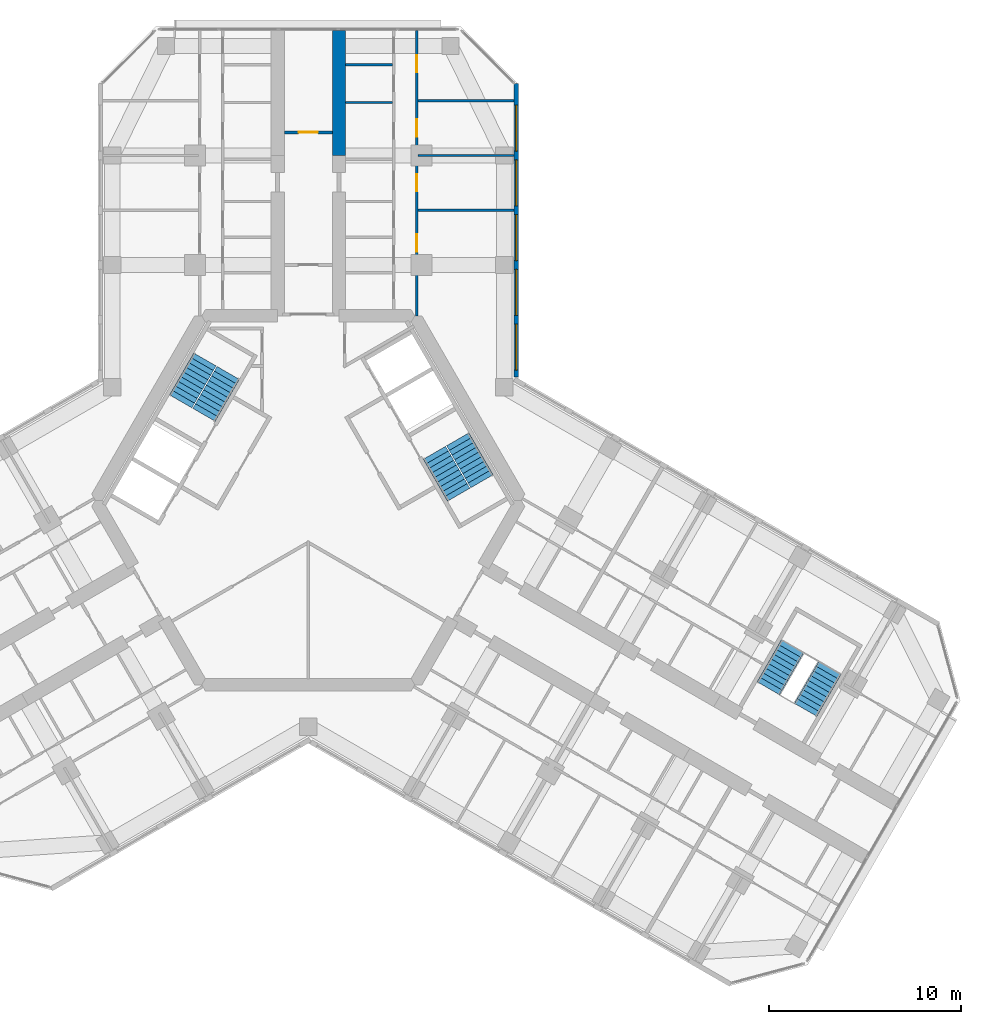
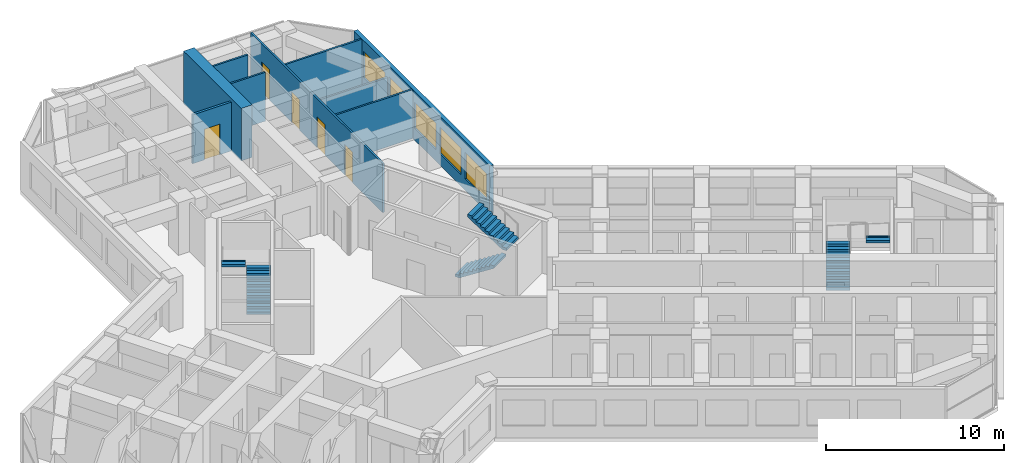
# One storey, part 15 of 16: 9 walls, 6 stair flights, 5 doors, 5 windows, 10 openings, 3 elements without a shape of their own.
"""IFC4 building model written with IfcOpenShell, lengths in metres."""

from ifc_helpers import new_model, si_unit, direction, frame, frame_2d, origin, place, context, subcontext, project, spatial, polyline, rectangle, outline, extrude, material, layer, layer_set, type_object, element, fill, aggregate, save


model = new_model("IFC4")

# Units and contexts
model_context = context("Model", 3, precision=1e-05, world=origin(), true_north=direction((0.0, 1.0)))
body_context = subcontext(model_context, "Body", "Model", "MODEL_VIEW")
ifc_project = project(units=[si_unit("LENGTHUNIT", "METRE"), si_unit("AREAUNIT", "SQUARE_METRE"), si_unit("VOLUMEUNIT", "CUBIC_METRE"), si_unit("PLANEANGLEUNIT", "RADIAN"), si_unit("MASSUNIT", "GRAM", prefix="KILO")], contexts=[model_context])

# Site, building, storey
site_placement = place(None, origin())
site = spatial("IfcSite", under=ifc_project, at=site_placement, CompositionType="ELEMENT")
building_placement = place(site_placement, origin())
building = spatial("IfcBuilding", under=site, at=building_placement, Name="Kosmar Iwan School Tower", CompositionType="ELEMENT")
storey_placement = place(building_placement, frame((0.0, 0.0, 201.0)))
storey = spatial("IfcBuildingStorey", under=building, at=storey_placement, Name="L50", CompositionType="ELEMENT", Elevation=201.0)

# Wall
ifc_material_1 = material(Name="Concrete C50/60", Category="concrete")
ifc_layer_1 = layer(ifc_material_1, 0.699951171875)
ifc_layer_set_1 = layer_set([ifc_layer_1], Name="Corridor buttress wall 700")
wall_type_1 = type_object("IfcWallType", Name="Corridor buttress wall 700", PredefinedType="SHEAR", material=ifc_layer_set_1)
wall_1_placement = place(storey_placement, frame((1.60009765625, 17.949951171875, 0.0), z_axis=(0.0, 0.0, 1.0), x_axis=(0.0, 1.0, 0.0)))
element("IfcWall", 1, at=wall_1_placement, inside=storey, type_object=wall_type_1, Name="Corridor wall AR bay 2", PredefinedType="SHEAR", context=body_context, shape_type="SweptSolid", body=[
    extrude(rectangle(XDim=6.4951171875, YDim=0.699951171875, at=frame_2d((3.24755859375, 0.0))), origin(), (0.0, 0.0, 1.0), 3.60009765625),
])

# Wall, opening, door
ifc_material_2 = material(Name="Gypsum board on steel studs, fire-rated", Category="steel")
ifc_layer_2 = layer(ifc_material_2, 0.14990234375)
ifc_layer_set_2 = layer_set([ifc_layer_2], Name="Corridor end wall 150")
wall_type_2 = type_object("IfcWallType", Name="Corridor end wall 150", PredefinedType="PARTITIONING", material=ifc_layer_set_2)
wall_2_placement = place(storey_placement, frame((1.25, 19.14990234375, 0.0), z_axis=(0.0, 0.0, 1.0), x_axis=(-1.0, 0.0, 0.0)))
wall_2 = element("IfcWall", 2, at=wall_2_placement, inside=storey, type_object=wall_type_2, Name="Partition L50-A-CE", PredefinedType="PARTITIONING", context=body_context, shape_type="SweptSolid", body=[
    extrude(rectangle(XDim=2.5, YDim=0.14990234375, at=frame_2d((1.25, 0.0))), origin(), (0.0, 0.0, 1.0), 3.35009765625),
])
opening_1_placement = place(wall_2_placement, frame((0.75, 0.0, 0.0)))
opening_1 = element("IfcOpeningElement", 3, at=opening_1_placement, cuts=wall_2, Name="Opening D13", PredefinedType="OPENING", context=body_context, shape_type="SweptSolid", body=[
    extrude(rectangle(XDim=1.0, YDim=2.10009765625, at=frame_2d((0.5, 1.050048828125))), frame((0.0, 0.0869140625, 0.0), z_axis=(0.0, -1.0, 0.0), x_axis=(1.0, 0.0, 0.0)), (0.0, 0.0, 1.0), 0.173828125),
])
ifc_material_3 = material(Name="Timber fire door with vision panel", Category="wood")
door_type_1 = type_object("IfcDoorType", Name="Corridor end door 1000x2100", OperationType="SINGLE_SWING_LEFT", PredefinedType="DOOR", material=ifc_material_3)
door_1_placement = place(opening_1_placement, origin())
door_1 = element("IfcDoor", 4, at=door_1_placement, inside=storey, type_object=door_type_1, Name="Reading room door L50-A", OperationType="SINGLE_SWING_LEFT", OverallHeight=2.10009765625, OverallWidth=1.0, PredefinedType="DOOR", context=body_context, shape_type="SweptSolid", body=[
    extrude(rectangle(XDim=1.0, YDim=2.10009765625, at=frame_2d((0.5, 1.050048828125))), frame((0.0, 0.02490234375, 0.0), z_axis=(0.0, -1.0, 0.0), x_axis=(1.0, 0.0, 0.0)), (0.0, 0.0, 1.0), 0.050048828125),
])
fill(opening_1, door_1)

# Wall, openings, doors
ifc_material_4 = material(Name="Gypsum board on steel studs", Category="steel")
ifc_layer_3 = layer(ifc_material_4, 0.1201171875)
ifc_layer_set_3 = layer_set([ifc_layer_3], Name="Dwelling partition 120")
wall_type_3 = type_object("IfcWallType", Name="Dwelling partition 120", PredefinedType="PARTITIONING", material=ifc_layer_set_3)
wall_3_placement = place(storey_placement, frame((5.64990234375, 9.60009765625, 0.0), z_axis=(0.0, 0.0, 1.0), x_axis=(0.0, 1.0, 0.0)))
wall_3 = element("IfcWall", 5, at=wall_3_placement, inside=storey, type_object=wall_type_3, Name="Partition L50-AR1-W2", PredefinedType="PARTITIONING", context=body_context, shape_type="SweptSolid", body=[
    extrude(rectangle(XDim=14.844970703125, YDim=0.1201171875, at=frame_2d((7.42236328125, 0.0))), origin(), (0.0, 0.0, 1.0), 3.35009765625),
])
opening_2_placement = place(wall_3_placement, frame((3.35009765625, 0.0, 0.0)))
opening_2 = element("IfcOpeningElement", 6, at=opening_2_placement, cuts=wall_3, Name="Opening D2", PredefinedType="OPENING", context=body_context, shape_type="SweptSolid", body=[
    extrude(rectangle(XDim=0.89990234375, YDim=2.10009765625, at=frame_2d((0.449951171875, 1.050048828125))), frame((0.0, 0.072021484375, 0.0), z_axis=(0.0, -1.0, 0.0), x_axis=(1.0, 0.0, 0.0)), (0.0, 0.0, 1.0), 0.14404296875),
])
opening_3_placement = place(wall_3_placement, frame((6.47509765625, 0.0, 0.0)))
opening_3 = element("IfcOpeningElement", 7, at=opening_3_placement, cuts=wall_3, Name="Opening D2", PredefinedType="OPENING", context=body_context, shape_type="SweptSolid", body=[
    extrude(rectangle(XDim=0.89990234375, YDim=2.10009765625, at=frame_2d((0.449951171875, 1.050048828125))), frame((0.0, 0.072021484375, 0.0), z_axis=(0.0, -1.0, 0.0), x_axis=(1.0, 0.0, 0.0)), (0.0, 0.0, 1.0), 0.14404296875),
])
opening_4_placement = place(wall_3_placement, frame((9.324951171875, 0.0, 0.0)))
opening_4 = element("IfcOpeningElement", 8, at=opening_4_placement, cuts=wall_3, Name="Opening D2", PredefinedType="OPENING", context=body_context, shape_type="SweptSolid", body=[
    extrude(rectangle(XDim=0.89990234375, YDim=2.10009765625, at=frame_2d((0.449951171875, 1.050048828125))), frame((0.0, 0.072021484375, 0.0), z_axis=(0.0, -1.0, 0.0), x_axis=(1.0, 0.0, 0.0)), (0.0, 0.0, 1.0), 0.14404296875),
])
opening_5_placement = place(wall_3_placement, frame((12.675048828125, 0.0, 0.0)))
opening_5 = element("IfcOpeningElement", 9, at=opening_5_placement, cuts=wall_3, Name="Opening D2", PredefinedType="OPENING", context=body_context, shape_type="SweptSolid", body=[
    extrude(rectangle(XDim=0.89990234375, YDim=2.10009765625, at=frame_2d((0.449951171875, 1.050048828125))), frame((0.0, 0.072021484375, 0.0), z_axis=(0.0, -1.0, 0.0), x_axis=(1.0, 0.0, 0.0)), (0.0, 0.0, 1.0), 0.14404296875),
])
ifc_material_5 = material(Name="Timber door in timber frame", Category="wood")
door_type_2 = type_object("IfcDoorType", Name="Internal door 900x2100", OperationType="SINGLE_SWING_LEFT", PredefinedType="DOOR", material=ifc_material_5)
door_2_placement = place(opening_2_placement, origin())
door_2 = element("IfcDoor", 10, at=door_2_placement, inside=storey, type_object=door_type_2, Name="Grandparents' suite door L50-AR1-F1", OperationType="SINGLE_SWING_LEFT", OverallHeight=2.10009765625, OverallWidth=0.89990234375, PredefinedType="DOOR", context=body_context, shape_type="SweptSolid", body=[
    extrude(rectangle(XDim=0.89990234375, YDim=2.10009765625, at=frame_2d((0.449951171875, 1.050048828125))), frame((0.0, 0.02490234375, 0.0), z_axis=(0.0, -1.0, 0.0), x_axis=(1.0, 0.0, 0.0)), (0.0, 0.0, 1.0), 0.050048828125),
])
fill(opening_2, door_2)
door_3_placement = place(opening_3_placement, origin())
door_3 = element("IfcDoor", 11, at=door_3_placement, inside=storey, type_object=door_type_2, Name="Family room and kitchen door L50-AR1-F2", OperationType="SINGLE_SWING_LEFT", OverallHeight=2.10009765625, OverallWidth=0.89990234375, PredefinedType="DOOR", context=body_context, shape_type="SweptSolid", body=[
    extrude(rectangle(XDim=0.89990234375, YDim=2.10009765625, at=frame_2d((0.449951171875, 1.050048828125))), frame((0.0, 0.02490234375, 0.0), z_axis=(0.0, -1.0, 0.0), x_axis=(1.0, 0.0, 0.0)), (0.0, 0.0, 1.0), 0.050048828125),
])
fill(opening_3, door_3)
door_4_placement = place(opening_4_placement, origin())
door_4 = element("IfcDoor", 12, at=door_4_placement, inside=storey, type_object=door_type_2, Name="Bedroom 1 door L50-AR1-F3", OperationType="SINGLE_SWING_RIGHT", OverallHeight=2.10009765625, OverallWidth=0.89990234375, PredefinedType="DOOR", context=body_context, shape_type="SweptSolid", body=[
    extrude(rectangle(XDim=0.89990234375, YDim=2.10009765625, at=frame_2d((0.449951171875, 1.050048828125))), frame((0.0, 0.02490234375, 0.0), z_axis=(0.0, -1.0, 0.0), x_axis=(1.0, 0.0, 0.0)), (0.0, 0.0, 1.0), 0.050048828125),
])
fill(opening_4, door_4)
door_5_placement = place(opening_5_placement, origin())
door_5 = element("IfcDoor", 13, at=door_5_placement, inside=storey, type_object=door_type_2, Name="Study door L50-AR1-F4", OperationType="SINGLE_SWING_RIGHT", OverallHeight=2.10009765625, OverallWidth=0.89990234375, PredefinedType="DOOR", context=body_context, shape_type="SweptSolid", body=[
    extrude(rectangle(XDim=0.89990234375, YDim=2.10009765625, at=frame_2d((0.449951171875, 1.050048828125))), frame((0.0, 0.02490234375, 0.0), z_axis=(0.0, -1.0, 0.0), x_axis=(1.0, 0.0, 0.0)), (0.0, 0.0, 1.0), 0.050048828125),
])
fill(opening_5, door_5)

# Walls
wall_4_placement = place(storey_placement, frame((5.7099609375, 15.10009765625, 0.0), z_axis=(0.0, 0.0, 1.0), x_axis=(1.0, 0.0, 0.0)))
element("IfcWall", 14, at=wall_4_placement, inside=storey, type_object=wall_type_3, Name="Partition L50-AR1-X1", PredefinedType="PARTITIONING", context=body_context, shape_type="SweptSolid", body=[
    extrude(rectangle(XDim=4.989990234375, YDim=0.1201171875, at=frame_2d((2.4951171875, 0.0))), origin(), (0.0, 0.0, 1.0), 3.35009765625),
])
wall_5_placement = place(storey_placement, frame((5.7099609375, 17.949951171875, 0.0), z_axis=(0.0, 0.0, 1.0), x_axis=(1.0, 0.0, 0.0)))
element("IfcWall", 15, at=wall_5_placement, inside=storey, type_object=wall_type_3, Name="Partition L50-AR1-X2", PredefinedType="PARTITIONING", context=body_context, shape_type="SweptSolid", body=[
    extrude(rectangle(XDim=4.989990234375, YDim=0.1201171875, at=frame_2d((2.4951171875, 0.0))), origin(), (0.0, 0.0, 1.0), 2.449951171875),
])
wall_6_placement = place(storey_placement, frame((5.7099609375, 20.800048828125, 0.0), z_axis=(0.0, 0.0, 1.0), x_axis=(1.0, 0.0, 0.0)))
element("IfcWall", 16, at=wall_6_placement, inside=storey, type_object=wall_type_3, Name="Partition L50-AR1-X3", PredefinedType="PARTITIONING", context=body_context, shape_type="SweptSolid", body=[
    extrude(rectangle(XDim=4.989990234375, YDim=0.1201171875, at=frame_2d((2.4951171875, 0.0))), origin(), (0.0, 0.0, 1.0), 3.35009765625),
])
for number, where, z_axis, x_axis, name in (
    (17, (1.949951171875, 20.70703125, 0.0), (0.0, 0.0, 1.0), (1.0, 0.0, 0.0), "Partition L50-AR1-Y5"),
    (18, (1.949951171875, 22.678466796875, 0.0), (0.0, 0.0, 1.0), (1.0, 0.0, 0.0), "Partition L50-AR1-Y6"),
):
    element("IfcWall", number, at=place(storey_placement, frame(where, z_axis=z_axis, x_axis=x_axis)), inside=storey, type_object=wall_type_3, Name=name, PredefinedType="PARTITIONING", context=body_context, shape_type="SweptSolid", body=[
        extrude(rectangle(XDim=2.43994140625, YDim=0.1201171875, at=frame_2d((1.219970703125, 0.0))), origin(), (0.0, 0.0, 1.0), 3.35009765625),
    ])

# Wall, openings, windows
ifc_material_6 = material(Name="Black aluminium rainscreen on insulated framing", Category="aluminium")
ifc_layer_4 = layer(ifc_material_6, 0.25)
ifc_layer_set_4 = layer_set([ifc_layer_4], Name="External wall rainscreen 250")
wall_type_4 = type_object("IfcWallType", Name="External wall rainscreen 250", PredefinedType="SOLIDWALL", material=ifc_layer_set_4)
wall_7_placement = place(storey_placement, frame((10.824951171875, 6.408935546875, 0.0), z_axis=(0.0, 0.0, 1.0), x_axis=(0.0, 1.0, 0.0)))
wall_7 = element("IfcWall", 19, at=wall_7_placement, inside=storey, type_object=wall_type_4, Name="External wall AR L50", PredefinedType="SOLIDWALL", context=body_context, shape_type="SweptSolid", body=[
    extrude(rectangle(XDim=15.2763671875, YDim=0.25, at=frame_2d((7.63818359375, 0.0))), origin(), (0.0, 0.0, 1.0), 3.35009765625),
])
opening_6_placement = place(wall_7_placement, frame((0.365966796875, 0.0, 0.800048828125)))
opening_6 = element("IfcOpeningElement", 20, at=opening_6_placement, cuts=wall_7, Name="Opening W5", PredefinedType="OPENING", context=body_context, shape_type="SweptSolid", body=[
    extrude(rectangle(XDim=2.39990234375, YDim=1.800048828125, at=frame_2d((1.199951171875, 0.89990234375))), frame((0.0, 0.136962890625, 0.0), z_axis=(0.0, -1.0, 0.0), x_axis=(1.0, 0.0, 0.0)), (0.0, 0.0, 1.0), 0.27392578125),
])
opening_7_placement = place(wall_7_placement, frame((3.216064453125, 0.0, 0.800048828125)))
opening_7 = element("IfcOpeningElement", 21, at=opening_7_placement, cuts=wall_7, Name="Opening W5", PredefinedType="OPENING", context=body_context, shape_type="SweptSolid", body=[
    extrude(rectangle(XDim=2.39990234375, YDim=1.800048828125, at=frame_2d((1.199951171875, 0.89990234375))), frame((0.0, 0.136962890625, 0.0), z_axis=(0.0, -1.0, 0.0), x_axis=(1.0, 0.0, 0.0)), (0.0, 0.0, 1.0), 0.27392578125),
])
opening_8_placement = place(wall_7_placement, frame((6.06591796875, 0.0, 0.800048828125)))
opening_8 = element("IfcOpeningElement", 22, at=opening_8_placement, cuts=wall_7, Name="Opening W5", PredefinedType="OPENING", context=body_context, shape_type="SweptSolid", body=[
    extrude(rectangle(XDim=2.39990234375, YDim=1.800048828125, at=frame_2d((1.199951171875, 0.89990234375))), frame((0.0, 0.136962890625, 0.0), z_axis=(0.0, -1.0, 0.0), x_axis=(1.0, 0.0, 0.0)), (0.0, 0.0, 1.0), 0.27392578125),
])
opening_9_placement = place(wall_7_placement, frame((8.916015625, 0.0, 0.800048828125)))
opening_9 = element("IfcOpeningElement", 23, at=opening_9_placement, cuts=wall_7, Name="Opening W5", PredefinedType="OPENING", context=body_context, shape_type="SweptSolid", body=[
    extrude(rectangle(XDim=2.39990234375, YDim=1.800048828125, at=frame_2d((1.199951171875, 0.89990234375))), frame((0.0, 0.136962890625, 0.0), z_axis=(0.0, -1.0, 0.0), x_axis=(1.0, 0.0, 0.0)), (0.0, 0.0, 1.0), 0.27392578125),
])
opening_10_placement = place(wall_7_placement, frame((11.76611328125, 0.0, 0.800048828125)))
opening_10 = element("IfcOpeningElement", 24, at=opening_10_placement, cuts=wall_7, Name="Opening W5", PredefinedType="OPENING", context=body_context, shape_type="SweptSolid", body=[
    extrude(rectangle(XDim=2.39990234375, YDim=1.800048828125, at=frame_2d((1.199951171875, 0.89990234375))), frame((0.0, 0.136962890625, 0.0), z_axis=(0.0, -1.0, 0.0), x_axis=(1.0, 0.0, 0.0)), (0.0, 0.0, 1.0), 0.27392578125),
])
ifc_material_7 = material(Name="Black aluminium frame with dark triple glazing", Category="aluminium")
window_type = type_object("IfcWindowType", Name="Window 2400x1800", PartitioningType="SINGLE_PANEL", PredefinedType="WINDOW", material=ifc_material_7)
window_1_placement = place(opening_6_placement, origin())
window_1 = element("IfcWindow", 25, at=window_1_placement, inside=storey, type_object=window_type, Name="Window AR L50 -1", OverallHeight=1.800048828125, OverallWidth=2.39990234375, PartitioningType="SINGLE_PANEL", PredefinedType="WINDOW", context=body_context, shape_type="SweptSolid", body=[
    extrude(rectangle(XDim=2.39990234375, YDim=1.800048828125, at=frame_2d((1.199951171875, 0.89990234375))), frame((0.0, 0.030029296875, 0.0), z_axis=(0.0, -1.0, 0.0), x_axis=(1.0, 0.0, 0.0)), (0.0, 0.0, 1.0), 0.06005859375),
])
fill(opening_6, window_1)
window_2_placement = place(opening_7_placement, origin())
window_2 = element("IfcWindow", 26, at=window_2_placement, inside=storey, type_object=window_type, Name="Window AR L50 0", OverallHeight=1.800048828125, OverallWidth=2.39990234375, PartitioningType="SINGLE_PANEL", PredefinedType="WINDOW", context=body_context, shape_type="SweptSolid", body=[
    extrude(rectangle(XDim=2.39990234375, YDim=1.800048828125, at=frame_2d((1.199951171875, 0.89990234375))), frame((0.0, 0.030029296875, 0.0), z_axis=(0.0, -1.0, 0.0), x_axis=(1.0, 0.0, 0.0)), (0.0, 0.0, 1.0), 0.06005859375),
])
fill(opening_7, window_2)
window_3_placement = place(opening_8_placement, origin())
window_3 = element("IfcWindow", 27, at=window_3_placement, inside=storey, type_object=window_type, Name="Window AR L50 1", OverallHeight=1.800048828125, OverallWidth=2.39990234375, PartitioningType="SINGLE_PANEL", PredefinedType="WINDOW", context=body_context, shape_type="SweptSolid", body=[
    extrude(rectangle(XDim=2.39990234375, YDim=1.800048828125, at=frame_2d((1.199951171875, 0.89990234375))), frame((0.0, 0.030029296875, 0.0), z_axis=(0.0, -1.0, 0.0), x_axis=(1.0, 0.0, 0.0)), (0.0, 0.0, 1.0), 0.06005859375),
])
fill(opening_8, window_3)
window_4_placement = place(opening_9_placement, origin())
window_4 = element("IfcWindow", 28, at=window_4_placement, inside=storey, type_object=window_type, Name="Window AR L50 2", OverallHeight=1.800048828125, OverallWidth=2.39990234375, PartitioningType="SINGLE_PANEL", PredefinedType="WINDOW", context=body_context, shape_type="SweptSolid", body=[
    extrude(rectangle(XDim=2.39990234375, YDim=1.800048828125, at=frame_2d((1.199951171875, 0.89990234375))), frame((0.0, 0.030029296875, 0.0), z_axis=(0.0, -1.0, 0.0), x_axis=(1.0, 0.0, 0.0)), (0.0, 0.0, 1.0), 0.06005859375),
])
fill(opening_9, window_4)
window_5_placement = place(opening_10_placement, origin())
window_5 = element("IfcWindow", 29, at=window_5_placement, inside=storey, type_object=window_type, Name="Window AR L50 3", OverallHeight=1.800048828125, OverallWidth=2.39990234375, PartitioningType="SINGLE_PANEL", PredefinedType="WINDOW", context=body_context, shape_type="SweptSolid", body=[
    extrude(rectangle(XDim=2.39990234375, YDim=1.800048828125, at=frame_2d((1.199951171875, 0.89990234375))), frame((0.0, 0.030029296875, 0.0), z_axis=(0.0, -1.0, 0.0), x_axis=(1.0, 0.0, 0.0)), (0.0, 0.0, 1.0), 0.06005859375),
])
fill(opening_10, window_5)

# Stair, stair flights
ifc_material_8 = material(Name="Concrete C35/45", Category="concrete")
stair_type_1 = type_object("IfcStairType", Name="Escape stair 3600", PredefinedType="HALF_TURN_STAIR", material=ifc_material_8)
stair_1_placement = place(storey_placement, origin())
stair_1 = element("IfcStair", 30, at=stair_1_placement, inside=storey, type_object=stair_type_1, Name="Stair WS3 L50", PredefinedType="HALF_TURN_STAIR")
ifc_material_9 = material(Name="Concrete C35/45", Category="concrete")
stair_flight_type_1 = type_object("IfcStairFlightType", Name="Escape stair flight 1350", PredefinedType="STRAIGHT", material=ifc_material_9)
stair_flight_1_placement = place(storey_placement, frame((23.94189453125, -9.781494140625, 0.0), z_axis=(0.0, 0.0, 1.0), x_axis=(0.5, 0.866025403784, 0.0)))
stair_flight_1 = element("IfcStairFlight", 31, at=stair_flight_1_placement, type_object=stair_flight_type_1, Name="WS3 flight 1", NumberOfRisers=10, NumberOfTreads=9, PredefinedType="STRAIGHT", RiserHeight=0.18, TreadLength=0.28, context=body_context, shape_type="SweptSolid", body=[
    extrude(outline(polyline([(0.0, 0.0), (0.0, 0.179931640625), (0.280029296875, 0.179931640625), (0.280029296875, 0.360107421875), (0.56005859375, 0.360107421875), (0.56005859375, 0.5400390625), (0.840087890625, 0.5400390625), (0.840087890625, 0.719970703125), (1.1201171875, 0.719970703125), (1.1201171875, 0.89990234375), (1.39990234375, 0.89990234375), (1.39990234375, 1.080078125), (1.679931640625, 1.080078125), (1.679931640625, 1.260009765625), (1.9599609375, 1.260009765625), (1.9599609375, 1.43994140625), (2.239990234375, 1.43994140625), (2.239990234375, 1.6201171875), (2.52001953125, 1.6201171875), (2.52001953125, 1.800048828125), (2.52001953125, 1.44189453125), (0.277099609375, 0.0), (0.0, 0.0)])), frame((0.0, 0.675048828125, 0.0), z_axis=(0.0, -1.0, 0.0), x_axis=(1.0, 0.0, 0.0)), (0.0, 0.0, 1.0), 1.35009765625),
])
stair_flight_2_placement = place(storey_placement, frame((27.150390625, -8.72412109375, 1.800048828125), z_axis=(0.0, 0.0, 1.0), x_axis=(-0.5, -0.866025403784, 0.0)))
stair_flight_2 = element("IfcStairFlight", 32, at=stair_flight_2_placement, type_object=stair_flight_type_1, Name="WS3 flight 2", NumberOfRisers=10, NumberOfTreads=9, PredefinedType="STRAIGHT", RiserHeight=0.18, TreadLength=0.28, context=body_context, shape_type="SweptSolid", body=[
    extrude(outline(polyline([(0.0, 0.0), (0.0, 0.179931640625), (0.280029296875, 0.179931640625), (0.280029296875, 0.360107421875), (0.56005859375, 0.360107421875), (0.56005859375, 0.5400390625), (0.840087890625, 0.5400390625), (0.840087890625, 0.719970703125), (1.1201171875, 0.719970703125), (1.1201171875, 0.89990234375), (1.39990234375, 0.89990234375), (1.39990234375, 1.080078125), (1.679931640625, 1.080078125), (1.679931640625, 1.260009765625), (1.9599609375, 1.260009765625), (1.9599609375, 1.43994140625), (2.239990234375, 1.43994140625), (2.239990234375, 1.6201171875), (2.52001953125, 1.6201171875), (2.52001953125, 1.800048828125), (2.52001953125, 1.44189453125), (0.277099609375, 0.0), (0.0, 0.0)])), frame((0.0, 0.675048828125, 0.0), z_axis=(0.0, -1.0, 0.0), x_axis=(1.0, 0.0, 0.0)), (0.0, 0.0, 1.0), 1.35009765625),
])
aggregate(stair_1, [stair_flight_1, stair_flight_2])

ifc_material_10 = material(Name="Concrete C35/45", Category="concrete")
stair_type_2 = type_object("IfcStairType", Name="Core stair 2750", PredefinedType="HALF_TURN_STAIR", material=ifc_material_10)
stair_2_placement = place(storey_placement, origin())
stair_2 = element("IfcStair", 33, at=stair_2_placement, inside=storey, type_object=stair_type_2, Name="Stair ST2 L50", PredefinedType="HALF_TURN_STAIR")
ifc_material_11 = material(Name="Concrete C35/45", Category="concrete")
stair_flight_type_2 = type_object("IfcStairFlightType", Name="Stair flight 1350", PredefinedType="STRAIGHT", material=ifc_material_11)
stair_flight_3_placement = place(storey_placement, frame((-5.42724609375, 4.44970703125, 0.0), z_axis=(0.0, 0.0, 1.0), x_axis=(0.5, 0.866025403784, 0.0)))
stair_flight_3 = element("IfcStairFlight", 34, at=stair_flight_3_placement, type_object=stair_flight_type_2, Name="ST2 flight 1", NumberOfRisers=10, NumberOfTreads=9, PredefinedType="STRAIGHT", RiserHeight=0.18, TreadLength=0.28, context=body_context, shape_type="SweptSolid", body=[
    extrude(outline(polyline([(0.0, 0.0), (0.0, 0.179931640625), (0.280029296875, 0.179931640625), (0.280029296875, 0.360107421875), (0.56005859375, 0.360107421875), (0.56005859375, 0.5400390625), (0.840087890625, 0.5400390625), (0.840087890625, 0.719970703125), (1.1201171875, 0.719970703125), (1.1201171875, 0.89990234375), (1.39990234375, 0.89990234375), (1.39990234375, 1.080078125), (1.679931640625, 1.080078125), (1.679931640625, 1.260009765625), (1.9599609375, 1.260009765625), (1.9599609375, 1.43994140625), (2.239990234375, 1.43994140625), (2.239990234375, 1.6201171875), (2.52001953125, 1.6201171875), (2.52001953125, 1.800048828125), (2.52001953125, 1.44189453125), (0.277099609375, 0.0), (0.0, 0.0)])), frame((0.0, 0.675048828125, 0.0), z_axis=(0.0, -1.0, 0.0), x_axis=(1.0, 0.0, 0.0)), (0.0, 0.0, 1.0), 1.35009765625),
])
stair_flight_4_placement = place(storey_placement, frame((-5.379638671875, 7.33203125, 1.800048828125), z_axis=(0.0, 0.0, 1.0), x_axis=(-0.5, -0.866025403784, 0.0)))
stair_flight_4 = element("IfcStairFlight", 35, at=stair_flight_4_placement, type_object=stair_flight_type_2, Name="ST2 flight 2", NumberOfRisers=10, NumberOfTreads=9, PredefinedType="STRAIGHT", RiserHeight=0.18, TreadLength=0.28, context=body_context, shape_type="SweptSolid", body=[
    extrude(outline(polyline([(0.0, 0.0), (0.0, 0.179931640625), (0.280029296875, 0.179931640625), (0.280029296875, 0.360107421875), (0.56005859375, 0.360107421875), (0.56005859375, 0.5400390625), (0.840087890625, 0.5400390625), (0.840087890625, 0.719970703125), (1.1201171875, 0.719970703125), (1.1201171875, 0.89990234375), (1.39990234375, 0.89990234375), (1.39990234375, 1.080078125), (1.679931640625, 1.080078125), (1.679931640625, 1.260009765625), (1.9599609375, 1.260009765625), (1.9599609375, 1.43994140625), (2.239990234375, 1.43994140625), (2.239990234375, 1.6201171875), (2.52001953125, 1.6201171875), (2.52001953125, 1.800048828125), (2.52001953125, 1.44189453125), (0.277099609375, 0.0), (0.0, 0.0)])), frame((0.0, 0.675048828125, 0.0), z_axis=(0.0, -1.0, 0.0), x_axis=(1.0, 0.0, 0.0)), (0.0, 0.0, 1.0), 1.35009765625),
])
aggregate(stair_2, [stair_flight_3, stair_flight_4])

stair_3_placement = place(storey_placement, origin())
stair_3 = element("IfcStair", 36, at=stair_3_placement, inside=storey, type_object=stair_type_2, Name="Stair ST1 L50", PredefinedType="HALF_TURN_STAIR")
stair_flight_5_placement = place(storey_placement, frame((6.567138671875, 2.475341796875, 0.0), z_axis=(0.0, 0.0, 1.0), x_axis=(0.5, -0.866025403784, 0.0)))
stair_flight_5 = element("IfcStairFlight", 37, at=stair_flight_5_placement, type_object=stair_flight_type_2, Name="ST1 flight 1", NumberOfRisers=10, NumberOfTreads=9, PredefinedType="STRAIGHT", RiserHeight=0.18, TreadLength=0.28, context=body_context, shape_type="SweptSolid", body=[
    extrude(outline(polyline([(0.0, 0.0), (0.0, 0.179931640625), (0.280029296875, 0.179931640625), (0.280029296875, 0.360107421875), (0.56005859375, 0.360107421875), (0.56005859375, 0.5400390625), (0.840087890625, 0.5400390625), (0.840087890625, 0.719970703125), (1.1201171875, 0.719970703125), (1.1201171875, 0.89990234375), (1.39990234375, 0.89990234375), (1.39990234375, 1.080078125), (1.679931640625, 1.080078125), (1.679931640625, 1.260009765625), (1.9599609375, 1.260009765625), (1.9599609375, 1.43994140625), (2.239990234375, 1.43994140625), (2.239990234375, 1.6201171875), (2.52001953125, 1.6201171875), (2.52001953125, 1.800048828125), (2.52001953125, 1.44189453125), (0.277099609375, 0.0), (0.0, 0.0)])), frame((0.0, 0.675048828125, 0.0), z_axis=(0.0, -1.0, 0.0), x_axis=(1.0, 0.0, 0.0)), (0.0, 0.0, 1.0), 1.35009765625),
])
stair_flight_6_placement = place(storey_placement, frame((9.03955078125, 0.992919921875, 1.800048828125), z_axis=(0.0, 0.0, 1.0), x_axis=(-0.5, 0.866025403784, 0.0)))
stair_flight_6 = element("IfcStairFlight", 38, at=stair_flight_6_placement, type_object=stair_flight_type_2, Name="ST1 flight 2", NumberOfRisers=10, NumberOfTreads=9, PredefinedType="STRAIGHT", RiserHeight=0.18, TreadLength=0.28, context=body_context, shape_type="SweptSolid", body=[
    extrude(outline(polyline([(0.0, 0.0), (0.0, 0.179931640625), (0.280029296875, 0.179931640625), (0.280029296875, 0.360107421875), (0.56005859375, 0.360107421875), (0.56005859375, 0.5400390625), (0.840087890625, 0.5400390625), (0.840087890625, 0.719970703125), (1.1201171875, 0.719970703125), (1.1201171875, 0.89990234375), (1.39990234375, 0.89990234375), (1.39990234375, 1.080078125), (1.679931640625, 1.080078125), (1.679931640625, 1.260009765625), (1.9599609375, 1.260009765625), (1.9599609375, 1.43994140625), (2.239990234375, 1.43994140625), (2.239990234375, 1.6201171875), (2.52001953125, 1.6201171875), (2.52001953125, 1.800048828125), (2.52001953125, 1.44189453125), (0.277099609375, 0.0), (0.0, 0.0)])), frame((0.0, 0.675048828125, 0.0), z_axis=(0.0, -1.0, 0.0), x_axis=(1.0, 0.0, 0.0)), (0.0, 0.0, 1.0), 1.35009765625),
])
aggregate(stair_3, [stair_flight_5, stair_flight_6])

save(model, "model.ifc")
